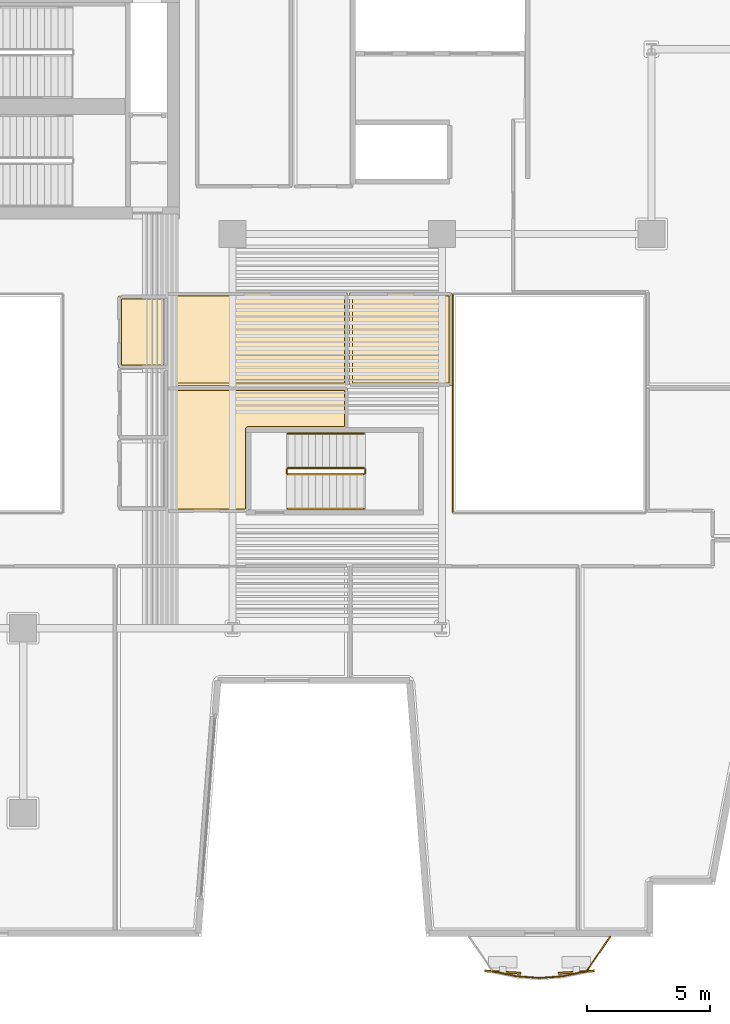
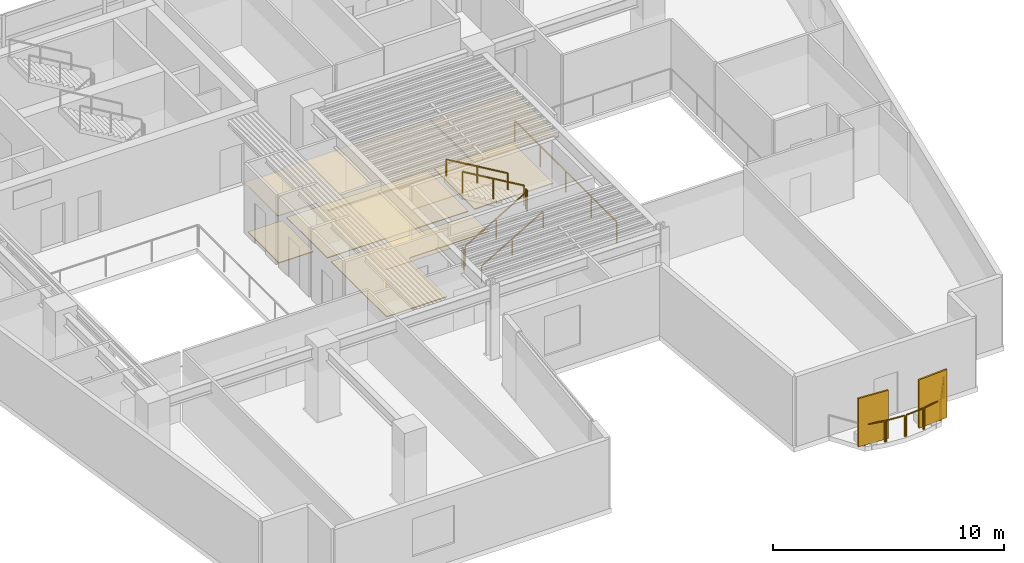
# One storey, part 10 of 13: 12 railings, 8 coverings, 2 shading devices.
"""IFC4 building model written with IfcOpenShell, lengths in metres."""

from ifc_helpers import new_model, si_unit, direction, frame, origin, origin_2d, place, context, subcontext, project, spatial, polyline, rectangle, outline, extrude, material, layer, layer_set, type_object, element, save


model = new_model("IFC4")

# Units and contexts
model_context = context("Model", 3, precision=1e-05, world=origin(), true_north=direction((0.0, 1.0)))
body_context = subcontext(model_context, "Body", "Model", "MODEL_VIEW")
ifc_project = project(units=[si_unit("LENGTHUNIT", "METRE"), si_unit("AREAUNIT", "SQUARE_METRE"), si_unit("VOLUMEUNIT", "CUBIC_METRE"), si_unit("PLANEANGLEUNIT", "RADIAN"), si_unit("MASSUNIT", "GRAM", prefix="KILO")], contexts=[model_context])

# Site, building, storey
site_placement = place(None, origin())
site = spatial("IfcSite", under=ifc_project, at=site_placement, CompositionType="ELEMENT")
building_placement = place(site_placement, origin())
building = spatial("IfcBuilding", under=site, at=building_placement, Name="Caeloran Harvest Quay", CompositionType="ELEMENT")
storey_placement = place(building_placement, frame((0.0, 0.0, 158.800048828125)))
storey = spatial("IfcBuildingStorey", under=building, at=storey_placement, Name="L37", CompositionType="ELEMENT", Elevation=158.800048828125)

# Coverings
ifc_material_1 = material(Name="Perforated Mineral-Fibre Acoustic Ceiling Tile", Category="ceiling")
ifc_layer_1 = layer(ifc_material_1, 0.0400390625, Name="Perforated Mineral-Fibre Acoustic Ceiling Tile")
ifc_layer_set_1 = layer_set([ifc_layer_1], Name="Perforated Mineral-Fibre Acoustic Ceiling Tile")
covering_type_1 = type_object("IfcCoveringType", Name="COV-CEILING-ACOUSTIC", PredefinedType="CEILING", material=ifc_layer_set_1)
covering_1_placement = place(storey_placement, frame((0.0, 0.0, 2.599853515625)))
element("IfcCovering", 1, at=covering_1_placement, inside=storey, type_object=covering_type_1, Name="L37 Male Washroom WC Acoustic Ceiling", PredefinedType="CEILING", context=body_context, shape_type="SweptSolid", body=[
    extrude(outline(polyline([(22.840087890625, 25.56005859375), (20.8701171875, 25.56005859375), (20.8701171875, 28.489990234375), (22.840087890625, 28.489990234375), (22.840087890625, 25.56005859375)])), origin(), (0.0, 0.0, 1.0), 0.0400390625),
])
covering_2_placement = place(storey_placement, frame((0.0, 0.0, 2.599853515625)))
element("IfcCovering", 2, at=covering_2_placement, inside=storey, type_object=covering_type_1, Name="Agro-Finance Summit Conference Hall 8 Acoustic Ceiling", PredefinedType="CEILING", context=body_context, shape_type="SweptSolid", body=[
    extrude(outline(polyline([(26.139892578125, 23.06005859375), (26.139892578125, 19.7099609375), (22.8701171875, 19.7099609375), (22.8701171875, 24.760009765625), (30.159912109375, 24.760009765625), (30.159912109375, 23.06005859375), (26.139892578125, 23.06005859375)])), origin(), (0.0, 0.0, 1.0), 0.0400390625),
])
covering_3_placement = place(storey_placement, frame((0.0, 0.0, 2.599853515625)))
element("IfcCovering", 3, at=covering_3_placement, inside=storey, type_object=covering_type_1, Name="Carbon Credit Seminar Room 9 Acoustic Ceiling", PredefinedType="CEILING", context=body_context, shape_type="SweptSolid", body=[
    extrude(outline(polyline([(22.8701171875, 28.512939453125), (22.85009765625, 28.52001953125), (22.85009765625, 28.610107421875), (30.159912109375, 28.610107421875), (30.159912109375, 24.840087890625), (22.8701171875, 24.840087890625), (22.8701171875, 28.512939453125)])), origin(), (0.0, 0.0, 1.0), 0.0400390625),
])
covering_4_placement = place(storey_placement, frame((0.0, 0.0, 2.599853515625)))
element("IfcCovering", 4, at=covering_4_placement, inside=storey, type_object=covering_type_1, Name="Commodities Briefing Boardroom 10 Acoustic Ceiling", PredefinedType="CEILING", context=body_context, shape_type="SweptSolid", body=[
    extrude(outline(polyline([(30.239990234375, 28.610107421875), (34.409912109375, 28.610107421875), (34.409912109375, 24.840087890625), (30.239990234375, 24.840087890625), (30.239990234375, 28.610107421875)])), origin(), (0.0, 0.0, 1.0), 0.0400390625),
])
ifc_material_2 = material(Name="Calcium-Sulphate Raised Access Floor and Terrazzo Finish", Category="flooring")
ifc_layer_2 = layer(ifc_material_2, 0.050048828125, Name="Calcium-Sulphate Raised Access Floor and Terrazzo Finish")
ifc_layer_set_2 = layer_set([ifc_layer_2], Name="Calcium-Sulphate Raised Access Floor and Terrazzo Finish")
covering_type_2 = type_object("IfcCoveringType", Name="COV-FLOOR-RAISED", PredefinedType="FLOORING", material=ifc_layer_set_2)
covering_5_placement = place(storey_placement, origin())
element("IfcCovering", 5, at=covering_5_placement, inside=storey, type_object=covering_type_2, Name="L37 Male Washroom WC Raised Finish Flooring", PredefinedType="FLOORING", context=body_context, shape_type="SweptSolid", body=[
    extrude(outline(polyline([(22.719970703125, 25.679931640625), (20.989990234375, 25.679931640625), (20.989990234375, 28.3701171875), (22.719970703125, 28.3701171875), (22.719970703125, 25.679931640625)])), origin(), (0.0, 0.0, 1.0), 0.050048828125),
])
covering_6_placement = place(storey_placement, origin())
element("IfcCovering", 6, at=covering_6_placement, inside=storey, type_object=covering_type_2, Name="Agro-Finance Summit Conference Hall 8 Raised Finish Flooring", PredefinedType="FLOORING", context=body_context, shape_type="SweptSolid", body=[
    extrude(outline(polyline([(26.101806640625, 23.17626953125), (26.04248046875, 23.13671875), (26.02001953125, 23.070068359375), (26.02001953125, 19.830078125), (22.989990234375, 19.830078125), (22.989990234375, 24.639892578125), (30.0400390625, 24.639892578125), (30.0400390625, 23.179931640625), (26.101806640625, 23.17626953125)])), origin(), (0.0, 0.0, 1.0), 0.050048828125),
])
covering_7_placement = place(storey_placement, origin())
element("IfcCovering", 7, at=covering_7_placement, inside=storey, type_object=covering_type_2, Name="Carbon Credit Seminar Room 9 Raised Finish Flooring", PredefinedType="FLOORING", context=body_context, shape_type="SweptSolid", body=[
    extrude(outline(polyline([(22.989990234375, 28.489990234375), (30.0400390625, 28.489990234375), (30.0400390625, 24.9599609375), (22.989990234375, 24.9599609375), (22.989990234375, 28.489990234375)])), origin(), (0.0, 0.0, 1.0), 0.050048828125),
])
covering_8_placement = place(storey_placement, origin())
element("IfcCovering", 8, at=covering_8_placement, inside=storey, type_object=covering_type_2, Name="Commodities Briefing Boardroom 10 Raised Finish Flooring", PredefinedType="FLOORING", context=body_context, shape_type="SweptSolid", body=[
    extrude(outline(polyline([(30.360107421875, 28.489990234375), (34.2900390625, 28.489990234375), (34.2900390625, 24.9599609375), (30.360107421875, 24.9599609375), (30.360107421875, 28.489990234375)])), origin(), (0.0, 0.0, 1.0), 0.050048828125),
])

# Railings
ifc_material_3 = material(Name="Powder-Coated Steel Post and Laminated Glass Guardrail", Category="steel")
ifc_layer_3 = layer(ifc_material_3, 0.06005859375, Name="Powder-Coated Steel Post and Laminated Glass Guardrail")
ifc_layer_set_3 = layer_set([ifc_layer_3], Name="Powder-Coated Steel Post and Laminated Glass Guardrail")
railing_type_1 = type_object("IfcRailingType", Name="GUARD-ATRIUM-1150", PredefinedType="GUARDRAIL", material=ifc_layer_set_3)
railing_1_placement = place(storey_placement, frame((34.429931640625, 28.5380859375, 0.0)))
element("IfcRailing", 9, at=railing_1_placement, inside=storey, type_object=railing_type_1, Name="L37 East Botanical Lightwell Guardrail Seg 4", PredefinedType="GUARDRAIL", context=body_context, shape_type="SweptSolid", body=[
    extrude(rectangle(XDim=0.048095703125, YDim=0.048095703125, at=origin_2d()), frame((0.0, 0.0, 1.1259765625), z_axis=(0.0, -1.0, 0.0), x_axis=(1.0, 0.0, 0.0)), (0.0, 0.0, 1.0), 8.826171875),
    extrude(rectangle(XDim=0.0419921875, YDim=0.0419921875, at=origin_2d()), origin(), (0.0, 0.0, 1.0), 1.101806640625),
    extrude(rectangle(XDim=0.0419921875, YDim=0.0419921875, at=origin_2d()), frame((0.0, -2.20654296875, 0.0)), (0.0, 0.0, 1.0), 1.101806640625),
    extrude(rectangle(XDim=0.0419921875, YDim=0.0419921875, at=origin_2d()), frame((0.0, -4.4130859375, 0.0)), (0.0, 0.0, 1.0), 1.101806640625),
    extrude(rectangle(XDim=0.0419921875, YDim=0.0419921875, at=origin_2d()), frame((0.0, -6.61962890625, 0.0)), (0.0, 0.0, 1.0), 1.101806640625),
    extrude(rectangle(XDim=0.0419921875, YDim=0.0419921875, at=origin_2d()), frame((0.0, -8.826171875, 0.0)), (0.0, 0.0, 1.0), 1.101806640625),
])
ifc_material_4 = material(Name="Laminated Safety Glass and Stainless Steel 316", Category="steel")
ifc_layer_4 = layer(ifc_material_4, 0.06005859375, Name="Laminated Safety Glass and Stainless Steel 316")
ifc_layer_set_4 = layer_set([ifc_layer_4], Name="Laminated Safety Glass and Stainless Steel 316")
railing_type_2 = type_object("IfcRailingType", Name="GUARD-BALUSTRADE-1150", PredefinedType="BALUSTRADE", material=ifc_layer_set_4)
railing_2_placement = place(storey_placement, frame((40.825927734375, 2.47998046875, 0.0)))
element("IfcRailing", 10, at=railing_2_placement, inside=storey, type_object=railing_type_2, Name="L37 Planted Balcony Perimeter Balustrade Guard Seg 1", PredefinedType="BALUSTRADE", context=body_context, shape_type="SweptSolid", body=[
    extrude(rectangle(XDim=0.048095703125, YDim=0.048095703125, at=origin_2d()), frame((0.0, 0.0, 1.1259765625), z_axis=(-0.564699722843, -0.82529644554, 0.0), x_axis=(0.82529644554, -0.564699722843, 0.0)), (0.0, 0.0, 1.0), 1.6611328125),
    extrude(rectangle(XDim=0.0419921875, YDim=0.0419921875, at=origin_2d()), origin(), (0.0, 0.0, 1.0), 1.101806640625),
    extrude(rectangle(XDim=0.0419921875, YDim=0.0419921875, at=origin_2d()), frame((-0.93798828125, -1.370849609375, 0.0)), (0.0, 0.0, 1.0), 1.101806640625),
])
railing_3_placement = place(storey_placement, frame((39.83837890625, 1.076171875, 0.0)))
element("IfcRailing", 11, at=railing_3_placement, inside=storey, type_object=railing_type_2, Name="L37 Planted Balcony Perimeter Balustrade Guard Seg 2", PredefinedType="BALUSTRADE", context=body_context, shape_type="SweptSolid", body=[
    extrude(rectangle(XDim=0.048095703125, YDim=0.048095703125, at=origin_2d()), frame((0.0, 0.0, 1.1259765625), z_axis=(-0.978188056944, -0.207721268173, 0.0), x_axis=(0.207721268173, -0.978188056944, 0.0)), (0.0, 0.0, 1.0), 0.913330078125),
    extrude(rectangle(XDim=0.0419921875, YDim=0.0419921875, at=origin_2d()), origin(), (0.0, 0.0, 1.0), 1.101806640625),
    extrude(rectangle(XDim=0.0419921875, YDim=0.0419921875, at=origin_2d()), frame((-0.893310546875, -0.189697265625, 0.0)), (0.0, 0.0, 1.0), 1.101806640625),
])
railing_4_placement = place(storey_placement, frame((38.8818359375, 0.87744140625, 0.0)))
element("IfcRailing", 12, at=railing_4_placement, inside=storey, type_object=railing_type_2, Name="L37 Planted Balcony Perimeter Balustrade Guard Seg 3", PredefinedType="BALUSTRADE", context=body_context, shape_type="SweptSolid", body=[
    extrude(rectangle(XDim=0.048095703125, YDim=0.048095703125, at=origin_2d()), frame((0.0, 0.0, 1.1259765625), z_axis=(-0.996994817981, -0.077468270399, 0.0), x_axis=(0.077468270399, -0.996994817981, 0.0)), (0.0, 0.0, 1.0), 0.89501953125),
    extrude(rectangle(XDim=0.0419921875, YDim=0.0419921875, at=origin_2d()), origin(), (0.0, 0.0, 1.0), 1.101806640625),
    extrude(rectangle(XDim=0.0419921875, YDim=0.0419921875, at=origin_2d()), frame((-0.892333984375, -0.0693359375, 0.0)), (0.0, 0.0, 1.0), 1.101806640625),
])
railing_5_placement = place(storey_placement, frame((37.925537109375, 0.80810546875, 0.0)))
element("IfcRailing", 13, at=railing_5_placement, inside=storey, type_object=railing_type_2, Name="L37 Planted Balcony Perimeter Balustrade Guard Seg 4", PredefinedType="BALUSTRADE", context=body_context, shape_type="SweptSolid", body=[
    extrude(rectangle(XDim=0.048095703125, YDim=0.048095703125, at=origin_2d()), frame((0.0, 0.0, 1.1259765625), z_axis=(-0.996994817981, 0.077468270399, 0.0), x_axis=(-0.077468270399, -0.996994817981, 0.0)), (0.0, 0.0, 1.0), 0.89501953125),
    extrude(rectangle(XDim=0.0419921875, YDim=0.0419921875, at=origin_2d()), origin(), (0.0, 0.0, 1.0), 1.101806640625),
    extrude(rectangle(XDim=0.0419921875, YDim=0.0419921875, at=origin_2d()), frame((-0.892333984375, 0.0693359375, 0.0)), (0.0, 0.0, 1.0), 1.101806640625),
])
railing_6_placement = place(storey_placement, frame((36.969970703125, 0.886474609375, 0.0)))
element("IfcRailing", 14, at=railing_6_placement, inside=storey, type_object=railing_type_2, Name="L37 Planted Balcony Perimeter Balustrade Guard Seg 5", PredefinedType="BALUSTRADE", context=body_context, shape_type="SweptSolid", body=[
    extrude(rectangle(XDim=0.048095703125, YDim=0.048095703125, at=origin_2d()), frame((0.0, 0.0, 1.1259765625), z_axis=(-0.978199587535, 0.207666961616, 0.0), x_axis=(-0.207666961616, -0.978199587535, 0.0)), (0.0, 0.0, 1.0), 0.91357421875),
    extrude(rectangle(XDim=0.0419921875, YDim=0.0419921875, at=origin_2d()), origin(), (0.0, 0.0, 1.0), 1.101806640625),
    extrude(rectangle(XDim=0.0419921875, YDim=0.0419921875, at=origin_2d()), frame((-0.8935546875, 0.189697265625, 0.0)), (0.0, 0.0, 1.0), 1.101806640625),
])

# Shading devices
ifc_material_5 = material(Name="3003-H14 Perforated Powder-Coated Aluminium", Category="aluminium")
shading_device_type = type_object("IfcShadingDeviceType", Name="SHADE-SCREEN-FOLDED", PredefinedType="USERDEFINED", material=ifc_material_5)
for number, where, z_axis, x_axis, name in (
    (15, (39.44921875, 1.04638671875, 0.07470703125), (0.0, 0.0, 1.0), (0.997801468292, 0.0662739004, 0.0), "L37 Folded Facade Breathing Screen 1"),
    (16, (36.4658203125, 1.04638671875, 0.07470703125), (0.0, 0.0, 1.0), (0.997801468292, -0.0662739004, 0.0), "L37 Folded Facade Breathing Screen 2"),
):
    element("IfcShadingDevice", number, at=place(storey_placement, frame(where, z_axis=z_axis, x_axis=x_axis)), inside=storey, type_object=shading_device_type, Name=name, ObjectType="SCREEN", PredefinedType="USERDEFINED", context=body_context, shape_type="SweptSolid", body=[
        extrude(rectangle(XDim=1.449951171875, YDim=0.080078125, at=origin_2d()), origin(), (0.0, 0.0, 1.0), 2.550048828125),
    ])

# Railings
ifc_material_6 = material(Name="Painted Steel Baluster and Top-Rail Stair Guard", Category="steel")
ifc_layer_5 = layer(ifc_material_6, 0.050048828125, Name="Painted Steel Baluster and Top-Rail Stair Guard")
ifc_layer_set_5 = layer_set([ifc_layer_5], Name="Painted Steel Baluster and Top-Rail Stair Guard")
railing_type_3 = type_object("IfcRailingType", Name="STAIR-GUARD-1100", PredefinedType="GUARDRAIL", material=ifc_layer_set_5)
railing_7_placement = place(storey_placement, frame((27.75, 21.25, 0.16455078125)))
element("IfcRailing", 17, at=railing_7_placement, inside=storey, type_object=railing_type_3, Name="L37 ST-W1 stair guard 1", PredefinedType="GUARDRAIL", context=body_context, shape_type="SweptSolid", body=[
    extrude(rectangle(XDim=0.048095703125, YDim=0.048095703125, at=origin_2d()), frame((0.0, 0.0, 1.076171875), z_axis=(0.862118610829, 0.0, 0.506706523406), x_axis=(0.0, 1.0, 0.0)), (0.0, 0.0, 1.0), 3.57275390625),
    extrude(rectangle(XDim=0.0419921875, YDim=0.0419921875, at=origin_2d()), origin(), (0.0, 0.0, 1.0), 1.052001953125),
    extrude(rectangle(XDim=0.0419921875, YDim=0.0419921875, at=origin_2d()), frame((1.5400390625, 0.0, 0.9052734375)), (0.0, 0.0, 1.0), 1.052001953125),
    extrude(rectangle(XDim=0.0419921875, YDim=0.0419921875, at=origin_2d()), frame((3.080078125, 0.0, 1.810302734375)), (0.0, 0.0, 1.0), 1.052001953125),
])
railing_8_placement = place(storey_placement, frame((30.8798828125, 21.300048828125, 1.974853515625)))
element("IfcRailing", 18, at=railing_8_placement, inside=storey, type_object=railing_type_3, Name="L37 ST-W1 stair guard 2", PredefinedType="GUARDRAIL", context=body_context, shape_type="SweptSolid", body=[
    extrude(rectangle(XDim=0.048095703125, YDim=0.048095703125, at=origin_2d()), frame((0.0, 0.0, 1.076171875), z_axis=(0.0, 1.0, 0.0), x_axis=(-1.0, 0.0, 0.0)), (0.0, 0.0, 1.0), 0.14990234375),
    extrude(rectangle(XDim=0.0419921875, YDim=0.0419921875, at=origin_2d()), origin(), (0.0, 0.0, 1.0), 1.052001953125),
    extrude(rectangle(XDim=0.0419921875, YDim=0.0419921875, at=origin_2d()), frame((0.0, 0.14990234375, 0.0)), (0.0, 0.0, 1.0), 1.052001953125),
])
railing_9_placement = place(storey_placement, frame((30.830078125, 21.5, 2.1396484375)))
element("IfcRailing", 19, at=railing_9_placement, inside=storey, type_object=railing_type_3, Name="L37 ST-W1 stair guard 3", PredefinedType="GUARDRAIL", context=body_context, shape_type="SweptSolid", body=[
    extrude(rectangle(XDim=0.048095703125, YDim=0.048095703125, at=origin_2d()), frame((0.0, 0.0, 1.076171875), z_axis=(-0.862118610829, 0.0, 0.506706523406), x_axis=(0.0, -1.0, 0.0)), (0.0, 0.0, 1.0), 3.57275390625),
    extrude(rectangle(XDim=0.0419921875, YDim=0.0419921875, at=origin_2d()), origin(), (0.0, 0.0, 1.0), 1.052001953125),
    extrude(rectangle(XDim=0.0419921875, YDim=0.0419921875, at=origin_2d()), frame((-1.5400390625, 0.0, 0.9052734375)), (0.0, 0.0, 1.0), 1.052001953125),
    extrude(rectangle(XDim=0.0419921875, YDim=0.0419921875, at=origin_2d()), frame((-3.080078125, 0.0, 1.810302734375)), (0.0, 0.0, 1.0), 1.052001953125),
])
railing_10_placement = place(storey_placement, frame((27.699951171875, 21.300048828125, 0.0)))
element("IfcRailing", 20, at=railing_10_placement, inside=storey, type_object=railing_type_3, Name="L37 ST-W1 stair guard 4", PredefinedType="GUARDRAIL", context=body_context, shape_type="SweptSolid", body=[
    extrude(rectangle(XDim=0.048095703125, YDim=0.048095703125, at=origin_2d()), frame((0.0, 0.0, 1.076171875), z_axis=(0.0, 1.0, 0.0), x_axis=(-1.0, 0.0, 0.0)), (0.0, 0.0, 1.0), 0.14990234375),
    extrude(rectangle(XDim=0.0419921875, YDim=0.0419921875, at=origin_2d()), origin(), (0.0, 0.0, 1.0), 1.052001953125),
    extrude(rectangle(XDim=0.0419921875, YDim=0.0419921875, at=origin_2d()), frame((0.0, 0.14990234375, 0.0)), (0.0, 0.0, 1.0), 1.052001953125),
])
ifc_material_7 = material(Name="Brushed Stainless Steel Grade 304", Category="steel")
ifc_layer_6 = layer(ifc_material_7, 0.050048828125, Name="Brushed Stainless Steel Grade 304")
ifc_layer_set_6 = layer_set([ifc_layer_6], Name="Brushed Stainless Steel Grade 304")
railing_type_4 = type_object("IfcRailingType", Name="STAIR-HANDRAIL-900", PredefinedType="HANDRAIL", material=ifc_layer_set_6)
railing_11_placement = place(storey_placement, frame((27.75, 19.85009765625, 0.16455078125)))
element("IfcRailing", 21, at=railing_11_placement, inside=storey, type_object=railing_type_4, Name="L37 ST-W1 stair handrail 1", PredefinedType="HANDRAIL", context=body_context, shape_type="SweptSolid", body=[
    extrude(rectangle(XDim=0.048095703125, YDim=0.048095703125, at=origin_2d()), frame((0.0, 0.0, 0.8759765625), z_axis=(0.862118610829, 0.0, 0.506706523406), x_axis=(0.0, 1.0, 0.0)), (0.0, 0.0, 1.0), 3.57275390625),
    extrude(rectangle(XDim=0.0419921875, YDim=0.0419921875, at=origin_2d()), origin(), (0.0, 0.0, 1.0), 0.851806640625),
    extrude(rectangle(XDim=0.0419921875, YDim=0.0419921875, at=origin_2d()), frame((1.5400390625, 0.0, 0.9052734375)), (0.0, 0.0, 1.0), 0.851806640625),
    extrude(rectangle(XDim=0.0419921875, YDim=0.0419921875, at=origin_2d()), frame((3.080078125, 0.0, 1.810302734375)), (0.0, 0.0, 1.0), 0.851806640625),
])
railing_12_placement = place(storey_placement, frame((30.830078125, 22.89990234375, 2.1396484375)))
element("IfcRailing", 22, at=railing_12_placement, inside=storey, type_object=railing_type_4, Name="L37 ST-W1 stair handrail 2", PredefinedType="HANDRAIL", context=body_context, shape_type="SweptSolid", body=[
    extrude(rectangle(XDim=0.048095703125, YDim=0.048095703125, at=origin_2d()), frame((0.0, 0.0, 0.8759765625), z_axis=(-0.862118610829, 0.0, 0.506706523406), x_axis=(0.0, -1.0, 0.0)), (0.0, 0.0, 1.0), 3.57275390625),
    extrude(rectangle(XDim=0.0419921875, YDim=0.0419921875, at=origin_2d()), origin(), (0.0, 0.0, 1.0), 0.851806640625),
    extrude(rectangle(XDim=0.0419921875, YDim=0.0419921875, at=origin_2d()), frame((-1.5400390625, 0.0, 0.9052734375)), (0.0, 0.0, 1.0), 0.851806640625),
    extrude(rectangle(XDim=0.0419921875, YDim=0.0419921875, at=origin_2d()), frame((-3.080078125, 0.0, 1.810302734375)), (0.0, 0.0, 1.0), 0.851806640625),
])

save(model, "model.ifc")
